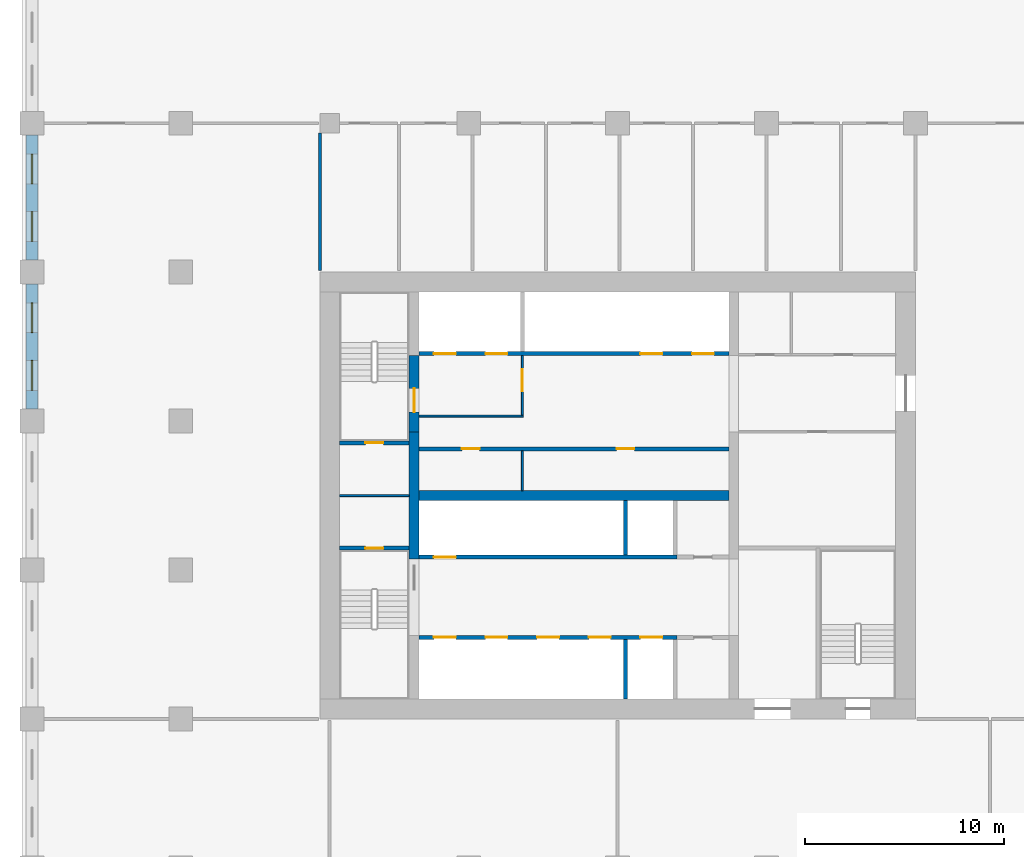
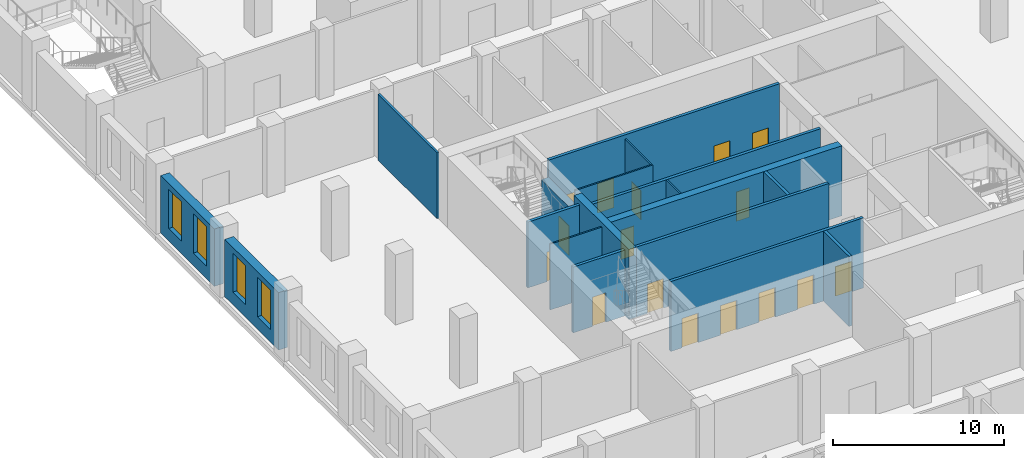
# One storey, part 5 of 32: 18 walls, 16 doors, 4 windows, 20 openings.
"""IFC4 building model written with IfcOpenShell, lengths in metres."""

from ifc_helpers import new_model, si_unit, direction, frame, frame_2d, origin, place, context, subcontext, project, spatial, rectangle, extrude, material, layer, layer_set, type_object, element, fill, save


model = new_model("IFC4")

# Units and contexts
model_context = context("Model", 3, precision=1e-05, world=origin(), true_north=direction((0.0, 1.0)))
body_context = subcontext(model_context, "Body", "Model", "MODEL_VIEW")
ifc_project = project(units=[si_unit("LENGTHUNIT", "METRE"), si_unit("AREAUNIT", "SQUARE_METRE"), si_unit("VOLUMEUNIT", "CUBIC_METRE"), si_unit("PLANEANGLEUNIT", "RADIAN"), si_unit("MASSUNIT", "GRAM", prefix="KILO")], contexts=[model_context])

# Site, building, storey
site_placement = place(None, origin())
site = spatial("IfcSite", under=ifc_project, at=site_placement, CompositionType="ELEMENT")
building_placement = place(site_placement, origin())
building = spatial("IfcBuilding", under=site, at=building_placement, Name="Tamorin Gate", CompositionType="ELEMENT")
storey_placement = place(building_placement, frame((0.0, 0.0, 13.5)))
storey = spatial("IfcBuildingStorey", under=building, at=storey_placement, Name="L02", CompositionType="ELEMENT", Elevation=13.5)

# Wall, openings, doors
ifc_material_1 = material(Name="Concrete C32/40", Category="concrete")
ifc_layer_1 = layer(ifc_material_1, 0.199951171875)
ifc_layer_set_1 = layer_set([ifc_layer_1], Name="Lift lobby face wall 200 EI 120")
wall_type_1 = type_object("IfcWallType", Name="Lift lobby face wall 200 EI 120", PredefinedType="SOLIDWALL", material=ifc_layer_set_1)
wall_1_placement = place(storey_placement, frame((35.0, 64.10009765625, 0.0), z_axis=(0.0, 0.0, 1.0), x_axis=(1.0, 0.0, 0.0)))
wall_1 = element("IfcWall", 1, at=wall_1_placement, inside=storey, type_object=wall_type_1, Name="Lift lobby face wall", PredefinedType="SOLIDWALL", context=body_context, shape_type="SweptSolid", body=[
    extrude(rectangle(XDim=13.0, YDim=0.199951171875, at=frame_2d((6.5, 0.0))), origin(), (0.0, 0.0, 1.0), 5.0),
])
opening_1_placement = place(wall_1_placement, frame((0.75, 0.0, 0.0)))
opening_1 = element("IfcOpeningElement", 2, at=opening_1_placement, cuts=wall_1, Name="Opening LD1", PredefinedType="OPENING", context=body_context, shape_type="SweptSolid", body=[
    extrude(rectangle(XDim=1.10009765625, YDim=2.10009765625, at=frame_2d((0.550048828125, 1.050048828125))), frame((0.0, 0.10986328125, 0.0), z_axis=(0.0, -1.0, 0.0), x_axis=(1.0, 0.0, 0.0)), (0.0, 0.0, 1.0), 0.219970703125),
])
opening_2_placement = place(wall_1_placement, frame((3.35009765625, 0.0, 0.0)))
opening_2 = element("IfcOpeningElement", 3, at=opening_2_placement, cuts=wall_1, Name="Opening LD2", PredefinedType="OPENING", context=body_context, shape_type="SweptSolid", body=[
    extrude(rectangle(XDim=1.10009765625, YDim=2.10009765625, at=frame_2d((0.550048828125, 1.050048828125))), frame((0.0, 0.10986328125, 0.0), z_axis=(0.0, -1.0, 0.0), x_axis=(1.0, 0.0, 0.0)), (0.0, 0.0, 1.0), 0.219970703125),
])
opening_3_placement = place(wall_1_placement, frame((5.949951171875, 0.0, 0.0)))
opening_3 = element("IfcOpeningElement", 4, at=opening_3_placement, cuts=wall_1, Name="Opening LD3", PredefinedType="OPENING", context=body_context, shape_type="SweptSolid", body=[
    extrude(rectangle(XDim=1.10009765625, YDim=2.10009765625, at=frame_2d((0.550048828125, 1.050048828125))), frame((0.0, 0.10986328125, 0.0), z_axis=(0.0, -1.0, 0.0), x_axis=(1.0, 0.0, 0.0)), (0.0, 0.0, 1.0), 0.219970703125),
])
opening_4_placement = place(wall_1_placement, frame((8.550048828125, 0.0, 0.0)))
opening_4 = element("IfcOpeningElement", 5, at=opening_4_placement, cuts=wall_1, Name="Opening LD4", PredefinedType="OPENING", context=body_context, shape_type="SweptSolid", body=[
    extrude(rectangle(XDim=1.10009765625, YDim=2.10009765625, at=frame_2d((0.550048828125, 1.050048828125))), frame((0.0, 0.10986328125, 0.0), z_axis=(0.0, -1.0, 0.0), x_axis=(1.0, 0.0, 0.0)), (0.0, 0.0, 1.0), 0.219970703125),
])
opening_5_placement = place(wall_1_placement, frame((11.14990234375, 0.0, 0.0)))
opening_5 = element("IfcOpeningElement", 6, at=opening_5_placement, cuts=wall_1, Name="Opening LD5", PredefinedType="OPENING", context=body_context, shape_type="SweptSolid", body=[
    extrude(rectangle(XDim=1.10009765625, YDim=2.10009765625, at=frame_2d((0.550048828125, 1.050048828125))), frame((0.0, 0.10986328125, 0.0), z_axis=(0.0, -1.0, 0.0), x_axis=(1.0, 0.0, 0.0)), (0.0, 0.0, 1.0), 0.219970703125),
])
ifc_material_2 = material(Name="Stainless steel sliding door", Category="steel")
door_type_1 = type_object("IfcDoorType", Name="Lift landing door 1100 x 2100 E 90", OperationType="DOUBLE_DOOR_SLIDING", PredefinedType="DOOR", material=ifc_material_2)
door_1_placement = place(opening_1_placement, origin())
door_1 = element("IfcDoor", 7, at=door_1_placement, inside=storey, type_object=door_type_1, Name="LR1 landing door", OperationType="DOUBLE_DOOR_SLIDING", OverallHeight=2.10009765625, OverallWidth=1.10009765625, PredefinedType="DOOR", context=body_context, shape_type="SweptSolid", body=[
    extrude(rectangle(XDim=1.10009765625, YDim=2.10009765625, at=frame_2d((0.550048828125, 1.050048828125))), frame((0.0, 0.02490234375, 0.0), z_axis=(0.0, -1.0, 0.0), x_axis=(1.0, 0.0, 0.0)), (0.0, 0.0, 1.0), 0.050048828125),
])
fill(opening_1, door_1)
door_2_placement = place(opening_2_placement, origin())
door_2 = element("IfcDoor", 8, at=door_2_placement, inside=storey, type_object=door_type_1, Name="LR2 landing door", OperationType="DOUBLE_DOOR_SLIDING", OverallHeight=2.10009765625, OverallWidth=1.10009765625, PredefinedType="DOOR", context=body_context, shape_type="SweptSolid", body=[
    extrude(rectangle(XDim=1.10009765625, YDim=2.10009765625, at=frame_2d((0.550048828125, 1.050048828125))), frame((0.0, 0.02490234375, 0.0), z_axis=(0.0, -1.0, 0.0), x_axis=(1.0, 0.0, 0.0)), (0.0, 0.0, 1.0), 0.050048828125),
])
fill(opening_2, door_2)
door_3_placement = place(opening_3_placement, origin())
door_3 = element("IfcDoor", 9, at=door_3_placement, inside=storey, type_object=door_type_1, Name="LR3 landing door", OperationType="DOUBLE_DOOR_SLIDING", OverallHeight=2.10009765625, OverallWidth=1.10009765625, PredefinedType="DOOR", context=body_context, shape_type="SweptSolid", body=[
    extrude(rectangle(XDim=1.10009765625, YDim=2.10009765625, at=frame_2d((0.550048828125, 1.050048828125))), frame((0.0, 0.02490234375, 0.0), z_axis=(0.0, -1.0, 0.0), x_axis=(1.0, 0.0, 0.0)), (0.0, 0.0, 1.0), 0.050048828125),
])
fill(opening_3, door_3)
door_4_placement = place(opening_4_placement, origin())
door_4 = element("IfcDoor", 10, at=door_4_placement, inside=storey, type_object=door_type_1, Name="LR4 landing door", OperationType="DOUBLE_DOOR_SLIDING", OverallHeight=2.10009765625, OverallWidth=1.10009765625, PredefinedType="DOOR", context=body_context, shape_type="SweptSolid", body=[
    extrude(rectangle(XDim=1.10009765625, YDim=2.10009765625, at=frame_2d((0.550048828125, 1.050048828125))), frame((0.0, 0.02490234375, 0.0), z_axis=(0.0, -1.0, 0.0), x_axis=(1.0, 0.0, 0.0)), (0.0, 0.0, 1.0), 0.050048828125),
])
fill(opening_4, door_4)
door_5_placement = place(opening_5_placement, origin())
door_5 = element("IfcDoor", 11, at=door_5_placement, inside=storey, type_object=door_type_1, Name="LR5 landing door", OperationType="DOUBLE_DOOR_SLIDING", OverallHeight=2.10009765625, OverallWidth=1.10009765625, PredefinedType="DOOR", context=body_context, shape_type="SweptSolid", body=[
    extrude(rectangle(XDim=1.10009765625, YDim=2.10009765625, at=frame_2d((0.550048828125, 1.050048828125))), frame((0.0, 0.02490234375, 0.0), z_axis=(0.0, -1.0, 0.0), x_axis=(1.0, 0.0, 0.0)), (0.0, 0.0, 1.0), 0.050048828125),
])
fill(opening_5, door_5)

# Wall, opening, door
wall_2_placement = place(storey_placement, frame((35.0, 68.14990234375, 0.0), z_axis=(0.0, 0.0, 1.0), x_axis=(1.0, 0.0, 0.0)))
wall_2 = element("IfcWall", 12, at=wall_2_placement, inside=storey, type_object=wall_type_1, Name="Lift lobby face wall", PredefinedType="SOLIDWALL", context=body_context, shape_type="SweptSolid", body=[
    extrude(rectangle(XDim=13.0, YDim=0.199951171875, at=frame_2d((6.5, 0.0))), origin(), (0.0, 0.0, 1.0), 5.0),
])
opening_6_placement = place(wall_2_placement, frame((0.75, 0.0, 0.0)))
opening_6 = element("IfcOpeningElement", 13, at=opening_6_placement, cuts=wall_2, Name="Opening LD6", PredefinedType="OPENING", context=body_context, shape_type="SweptSolid", body=[
    extrude(rectangle(XDim=1.10009765625, YDim=2.10009765625, at=frame_2d((0.550048828125, 1.050048828125))), frame((0.0, 0.10986328125, 0.0), z_axis=(0.0, -1.0, 0.0), x_axis=(1.0, 0.0, 0.0)), (0.0, 0.0, 1.0), 0.219970703125),
])
door_6_placement = place(opening_6_placement, origin())
door_6 = element("IfcDoor", 14, at=door_6_placement, inside=storey, type_object=door_type_1, Name="LR6 landing door", OperationType="DOUBLE_DOOR_SLIDING", OverallHeight=2.10009765625, OverallWidth=1.10009765625, PredefinedType="DOOR", context=body_context, shape_type="SweptSolid", body=[
    extrude(rectangle(XDim=1.10009765625, YDim=2.10009765625, at=frame_2d((0.550048828125, 1.050048828125))), frame((0.0, 0.02490234375, 0.0), z_axis=(0.0, -1.0, 0.0), x_axis=(1.0, 0.0, 0.0)), (0.0, 0.0, 1.0), 0.050048828125),
])
fill(opening_6, door_6)

# Wall, openings, doors
wall_3_placement = place(storey_placement, frame((35.0, 78.39990234375, 0.0), z_axis=(0.0, 0.0, 1.0), x_axis=(1.0, 0.0, 0.0)))
wall_3 = element("IfcWall", 15, at=wall_3_placement, inside=storey, type_object=wall_type_1, Name="Lift lobby face wall", PredefinedType="SOLIDWALL", context=body_context, shape_type="SweptSolid", body=[
    extrude(rectangle(XDim=15.60009765625, YDim=0.199951171875, at=frame_2d((7.800048828125, 0.0))), origin(), (0.0, 0.0, 1.0), 5.0),
])
opening_7_placement = place(wall_3_placement, frame((0.75, 0.0, 0.0)))
opening_7 = element("IfcOpeningElement", 16, at=opening_7_placement, cuts=wall_3, Name="Opening LD17", PredefinedType="OPENING", context=body_context, shape_type="SweptSolid", body=[
    extrude(rectangle(XDim=1.10009765625, YDim=2.10009765625, at=frame_2d((0.550048828125, 1.050048828125))), frame((0.0, 0.10986328125, 0.0), z_axis=(0.0, -1.0, 0.0), x_axis=(1.0, 0.0, 0.0)), (0.0, 0.0, 1.0), 0.219970703125),
])
opening_8_placement = place(wall_3_placement, frame((3.35009765625, 0.0, 0.0)))
opening_8 = element("IfcOpeningElement", 17, at=opening_8_placement, cuts=wall_3, Name="Opening LD18", PredefinedType="OPENING", context=body_context, shape_type="SweptSolid", body=[
    extrude(rectangle(XDim=1.10009765625, YDim=2.10009765625, at=frame_2d((0.550048828125, 1.050048828125))), frame((0.0, 0.10986328125, 0.0), z_axis=(0.0, -1.0, 0.0), x_axis=(1.0, 0.0, 0.0)), (0.0, 0.0, 1.0), 0.219970703125),
])
opening_9_placement = place(wall_3_placement, frame((11.14990234375, 0.0, 0.0)))
opening_9 = element("IfcOpeningElement", 18, at=opening_9_placement, cuts=wall_3, Name="Opening LD21", PredefinedType="OPENING", context=body_context, shape_type="SweptSolid", body=[
    extrude(rectangle(XDim=1.10009765625, YDim=2.10009765625, at=frame_2d((0.550048828125, 1.050048828125))), frame((0.0, 0.10986328125, 0.0), z_axis=(0.0, -1.0, 0.0), x_axis=(1.0, 0.0, 0.0)), (0.0, 0.0, 1.0), 0.219970703125),
])
opening_10_placement = place(wall_3_placement, frame((13.75, 0.0, 0.0)))
opening_10 = element("IfcOpeningElement", 19, at=opening_10_placement, cuts=wall_3, Name="Opening LD22", PredefinedType="OPENING", context=body_context, shape_type="SweptSolid", body=[
    extrude(rectangle(XDim=1.10009765625, YDim=2.10009765625, at=frame_2d((0.550048828125, 1.050048828125))), frame((0.0, 0.10986328125, 0.0), z_axis=(0.0, -1.0, 0.0), x_axis=(1.0, 0.0, 0.0)), (0.0, 0.0, 1.0), 0.219970703125),
])
door_7_placement = place(opening_7_placement, origin())
door_7 = element("IfcDoor", 20, at=door_7_placement, inside=storey, type_object=door_type_1, Name="FF1 landing door", OperationType="DOUBLE_DOOR_SLIDING", OverallHeight=2.10009765625, OverallWidth=1.10009765625, PredefinedType="DOOR", context=body_context, shape_type="SweptSolid", body=[
    extrude(rectangle(XDim=1.10009765625, YDim=2.10009765625, at=frame_2d((0.550048828125, 1.050048828125))), frame((0.0, 0.02490234375, 0.0), z_axis=(0.0, -1.0, 0.0), x_axis=(1.0, 0.0, 0.0)), (0.0, 0.0, 1.0), 0.050048828125),
])
fill(opening_7, door_7)
door_8_placement = place(opening_8_placement, origin())
door_8 = element("IfcDoor", 21, at=door_8_placement, inside=storey, type_object=door_type_1, Name="FF2 landing door", OperationType="DOUBLE_DOOR_SLIDING", OverallHeight=2.10009765625, OverallWidth=1.10009765625, PredefinedType="DOOR", context=body_context, shape_type="SweptSolid", body=[
    extrude(rectangle(XDim=1.10009765625, YDim=2.10009765625, at=frame_2d((0.550048828125, 1.050048828125))), frame((0.0, 0.02490234375, 0.0), z_axis=(0.0, -1.0, 0.0), x_axis=(1.0, 0.0, 0.0)), (0.0, 0.0, 1.0), 0.050048828125),
])
fill(opening_8, door_8)
door_9_placement = place(opening_9_placement, origin())
door_9 = element("IfcDoor", 22, at=door_9_placement, inside=storey, type_object=door_type_1, Name="SV1 landing door", OperationType="DOUBLE_DOOR_SLIDING", OverallHeight=2.10009765625, OverallWidth=1.10009765625, PredefinedType="DOOR", context=body_context, shape_type="SweptSolid", body=[
    extrude(rectangle(XDim=1.10009765625, YDim=2.10009765625, at=frame_2d((0.550048828125, 1.050048828125))), frame((0.0, 0.02490234375, 0.0), z_axis=(0.0, -1.0, 0.0), x_axis=(1.0, 0.0, 0.0)), (0.0, 0.0, 1.0), 0.050048828125),
])
fill(opening_9, door_9)
door_10_placement = place(opening_10_placement, origin())
door_10 = element("IfcDoor", 23, at=door_10_placement, inside=storey, type_object=door_type_1, Name="SV2 landing door", OperationType="DOUBLE_DOOR_SLIDING", OverallHeight=2.10009765625, OverallWidth=1.10009765625, PredefinedType="DOOR", context=body_context, shape_type="SweptSolid", body=[
    extrude(rectangle(XDim=1.10009765625, YDim=2.10009765625, at=frame_2d((0.550048828125, 1.050048828125))), frame((0.0, 0.02490234375, 0.0), z_axis=(0.0, -1.0, 0.0), x_axis=(1.0, 0.0, 0.0)), (0.0, 0.0, 1.0), 0.050048828125),
])
fill(opening_10, door_10)

# Walls
ifc_layer_2 = layer(ifc_material_1, 0.199951171875)
ifc_layer_set_2 = layer_set([ifc_layer_2], Name="Lift shaft wall 200 EI 120")
wall_type_2 = type_object("IfcWallType", Name="Lift shaft wall 200 EI 120", PredefinedType="SOLIDWALL", material=ifc_layer_set_2)
wall_4_placement = place(storey_placement, frame((45.39990234375, 61.0, 0.0), z_axis=(0.0, 0.0, 1.0), x_axis=(0.0, 1.0, 0.0)))
element("IfcWall", 24, at=wall_4_placement, inside=storey, type_object=wall_type_2, Name="Lift shaft wall", PredefinedType="SOLIDWALL", context=body_context, shape_type="SweptSolid", body=[
    extrude(rectangle(XDim=3.0, YDim=0.199951171875, at=frame_2d((1.5, 0.0))), origin(), (0.0, 0.0, 1.0), 5.0),
])
wall_5_placement = place(storey_placement, frame((45.39990234375, 68.25, 0.0), z_axis=(0.0, 0.0, 1.0), x_axis=(0.0, 1.0, 0.0)))
element("IfcWall", 25, at=wall_5_placement, inside=storey, type_object=wall_type_2, Name="Lift shaft wall", PredefinedType="SOLIDWALL", context=body_context, shape_type="SweptSolid", body=[
    extrude(rectangle(XDim=2.75, YDim=0.199951171875, at=frame_2d((1.375, 0.0))), origin(), (0.0, 0.0, 1.0), 5.0),
])
ifc_material_3 = material(Name="Fire-rated gypsum board partition")
ifc_layer_3 = layer(ifc_material_3, 0.10009765625)
ifc_layer_set_3 = layer_set([ifc_layer_3], Name="Lobby wall 100 EI 60")
wall_type_3 = type_object("IfcWallType", Name="Lobby wall 100 EI 60", PredefinedType="PARTITIONING", material=ifc_layer_set_3)
wall_6_placement = place(storey_placement, frame((35.0, 75.25, 0.0), z_axis=(0.0, 0.0, 1.0), x_axis=(1.0, 0.0, 0.0)))
element("IfcWall", 26, at=wall_6_placement, inside=storey, type_object=wall_type_3, Name="Firefighting lobby wall", PredefinedType="PARTITIONING", context=body_context, shape_type="SweptSolid", body=[
    extrude(rectangle(XDim=5.25, YDim=0.10009765625, at=frame_2d((2.625, 0.0))), origin(), (0.0, 0.0, 1.0), 4.699951171875),
])

# Wall, opening, door
wall_7_placement = place(storey_placement, frame((40.199951171875, 75.300048828125, 0.0), z_axis=(0.0, 0.0, 1.0), x_axis=(0.0, 1.0, 0.0)))
wall_7 = element("IfcWall", 27, at=wall_7_placement, inside=storey, type_object=wall_type_3, Name="Firefighting lobby wall", PredefinedType="PARTITIONING", context=body_context, shape_type="SweptSolid", body=[
    extrude(rectangle(XDim=3.0, YDim=0.10009765625, at=frame_2d((1.5, 0.0))), origin(), (0.0, 0.0, 1.0), 4.699951171875),
])
opening_11_placement = place(wall_7_placement, frame((1.199951171875, 0.0, 0.0)))
opening_11 = element("IfcOpeningElement", 28, at=opening_11_placement, cuts=wall_7, Name="Opening DF1", PredefinedType="OPENING", context=body_context, shape_type="SweptSolid", body=[
    extrude(rectangle(XDim=1.10009765625, YDim=2.10009765625, at=frame_2d((0.550048828125, 1.050048828125))), frame((0.0, 0.06005859375, 0.0), z_axis=(0.0, -1.0, 0.0), x_axis=(1.0, 0.0, 0.0)), (0.0, 0.0, 1.0), 0.1201171875),
])
ifc_material_4 = material(Name="Steel fire door", Category="steel")
door_type_2 = type_object("IfcDoorType", Name="Firefighting lobby door 1100 x 2100 EI 90", OperationType="SINGLE_SWING_LEFT", PredefinedType="DOOR", material=ifc_material_4)
door_11_placement = place(opening_11_placement, origin())
door_11 = element("IfcDoor", 29, at=door_11_placement, inside=storey, type_object=door_type_2, Name="Firefighting lobby door", OperationType="SINGLE_SWING_LEFT", OverallHeight=2.10009765625, OverallWidth=1.10009765625, PredefinedType="DOOR", context=body_context, shape_type="SweptSolid", body=[
    extrude(rectangle(XDim=1.10009765625, YDim=2.10009765625, at=frame_2d((0.550048828125, 1.050048828125))), frame((0.0, 0.02490234375, 0.0), z_axis=(0.0, -1.0, 0.0), x_axis=(1.0, 0.0, 0.0)), (0.0, 0.0, 1.0), 0.050048828125),
])
fill(opening_11, door_11)

# Wall
ifc_material_5 = material(Name="Concrete masonry C20/25", Category="masonry")
ifc_layer_4 = layer(ifc_material_5, 0.14990234375)
ifc_layer_set_4 = layer_set([ifc_layer_4], Name="Partition 150")
wall_type_4 = type_object("IfcWallType", Name="Partition 150", PredefinedType="PARTITIONING", material=ifc_layer_set_4)
wall_8_placement = place(storey_placement, frame((30.0, 82.574951171875, 0.0), z_axis=(0.0, 0.0, 1.0), x_axis=(0.0, 1.0, 0.0)))
element("IfcWall", 30, at=wall_8_placement, inside=storey, type_object=wall_type_4, Name="Partition 150 L02", PredefinedType="PARTITIONING", context=body_context, shape_type="SweptSolid", body=[
    extrude(rectangle(XDim=6.925048828125, YDim=0.14990234375, at=frame_2d((3.46240234375, 0.0))), origin(), (0.0, 0.0, 1.0), 4.699951171875),
])

# Wall, openings, windows
ifc_material_6 = material(Name="Precast concrete C40/50", Category="concrete")
ifc_layer_5 = layer(ifc_material_6, 0.60009765625)
ifc_layer_set_5 = layer_set([ifc_layer_5], Name="Precast concrete C40/50")
wall_type_5 = type_object("IfcWallType", Name="Precast plinth wall 600", PredefinedType="PARTITIONING", material=ifc_layer_set_5)
wall_9_placement = place(storey_placement, frame((15.5, 75.60009765625, 0.0), z_axis=(0.0, 0.0, 1.0), x_axis=(0.0, 1.0, 0.0)))
wall_9 = element("IfcWall", 31, at=wall_9_placement, inside=storey, type_object=wall_type_5, Name="Precast plinth wall 600 L02", PredefinedType="PARTITIONING", context=body_context, shape_type="SweptSolid", body=[
    extrude(rectangle(XDim=6.2998046875, YDim=0.60009765625, at=frame_2d((3.14990234375, 0.0))), origin(), (0.0, 0.0, 1.0), 4.10009765625),
])
opening_12_placement = place(wall_9_placement, frame((0.950927734375, 0.0, 0.89990234375)))
opening_12 = element("IfcOpeningElement", 32, at=opening_12_placement, cuts=wall_9, Name="Opening PWN5", PredefinedType="OPENING", context=body_context, shape_type="SweptSolid", body=[
    extrude(rectangle(XDim=1.5, YDim=2.800048828125, at=frame_2d((0.75, 1.39990234375))), frame((0.0, 0.31005859375, 0.0), z_axis=(0.0, -1.0, 0.0), x_axis=(1.0, 0.0, 0.0)), (0.0, 0.0, 1.0), 0.6201171875),
])
opening_13_placement = place(wall_9_placement, frame((3.84912109375, 0.0, 0.89990234375)))
opening_13 = element("IfcOpeningElement", 33, at=opening_13_placement, cuts=wall_9, Name="Opening PWN5", PredefinedType="OPENING", context=body_context, shape_type="SweptSolid", body=[
    extrude(rectangle(XDim=1.5, YDim=2.800048828125, at=frame_2d((0.75, 1.39990234375))), frame((0.0, 0.31005859375, 0.0), z_axis=(0.0, -1.0, 0.0), x_axis=(1.0, 0.0, 0.0)), (0.0, 0.0, 1.0), 0.6201171875),
])
ifc_material_7 = material(Name="Aluminium and glass", Category="aluminium")
window_type = type_object("IfcWindowType", Name="Plinth window 1500x2800", PartitioningType="DOUBLE_PANEL_VERTICAL", PredefinedType="WINDOW", material=ifc_material_7)
window_1_placement = place(opening_12_placement, origin())
window_1 = element("IfcWindow", 34, at=window_1_placement, inside=storey, type_object=window_type, Name="Plinth window 1500x2800", OverallHeight=2.800048828125, OverallWidth=1.5, PartitioningType="SINGLE_PANEL", PredefinedType="WINDOW", context=body_context, shape_type="SweptSolid", body=[
    extrude(rectangle(XDim=1.5, YDim=2.800048828125, at=frame_2d((0.75, 1.39990234375))), frame((0.0, 0.030029296875, 0.0), z_axis=(0.0, -1.0, 0.0), x_axis=(1.0, 0.0, 0.0)), (0.0, 0.0, 1.0), 0.06005859375),
])
fill(opening_12, window_1)
window_2_placement = place(opening_13_placement, origin())
window_2 = element("IfcWindow", 35, at=window_2_placement, inside=storey, type_object=window_type, Name="Plinth window 1500x2800", OverallHeight=2.800048828125, OverallWidth=1.5, PartitioningType="SINGLE_PANEL", PredefinedType="WINDOW", context=body_context, shape_type="SweptSolid", body=[
    extrude(rectangle(XDim=1.5, YDim=2.800048828125, at=frame_2d((0.75, 1.39990234375))), frame((0.0, 0.030029296875, 0.0), z_axis=(0.0, -1.0, 0.0), x_axis=(1.0, 0.0, 0.0)), (0.0, 0.0, 1.0), 0.06005859375),
])
fill(opening_13, window_2)

wall_10_placement = place(storey_placement, frame((15.5, 83.10009765625, 0.0), z_axis=(0.0, 0.0, 1.0), x_axis=(0.0, 1.0, 0.0)))
wall_10 = element("IfcWall", 36, at=wall_10_placement, inside=storey, type_object=wall_type_5, Name="Precast plinth wall 600 L02", PredefinedType="PARTITIONING", context=body_context, shape_type="SweptSolid", body=[
    extrude(rectangle(XDim=6.2998046875, YDim=0.60009765625, at=frame_2d((3.14990234375, 0.0))), origin(), (0.0, 0.0, 1.0), 4.10009765625),
])
opening_14_placement = place(wall_10_placement, frame((0.950927734375, 0.0, 0.89990234375)))
opening_14 = element("IfcOpeningElement", 37, at=opening_14_placement, cuts=wall_10, Name="Opening PWN5", PredefinedType="OPENING", context=body_context, shape_type="SweptSolid", body=[
    extrude(rectangle(XDim=1.5, YDim=2.800048828125, at=frame_2d((0.75, 1.39990234375))), frame((0.0, 0.31005859375, 0.0), z_axis=(0.0, -1.0, 0.0), x_axis=(1.0, 0.0, 0.0)), (0.0, 0.0, 1.0), 0.6201171875),
])
opening_15_placement = place(wall_10_placement, frame((3.84912109375, 0.0, 0.89990234375)))
opening_15 = element("IfcOpeningElement", 38, at=opening_15_placement, cuts=wall_10, Name="Opening PWN5", PredefinedType="OPENING", context=body_context, shape_type="SweptSolid", body=[
    extrude(rectangle(XDim=1.5, YDim=2.800048828125, at=frame_2d((0.75, 1.39990234375))), frame((0.0, 0.31005859375, 0.0), z_axis=(0.0, -1.0, 0.0), x_axis=(1.0, 0.0, 0.0)), (0.0, 0.0, 1.0), 0.6201171875),
])
window_3_placement = place(opening_14_placement, origin())
window_3 = element("IfcWindow", 39, at=window_3_placement, inside=storey, type_object=window_type, Name="Plinth window 1500x2800", OverallHeight=2.800048828125, OverallWidth=1.5, PartitioningType="SINGLE_PANEL", PredefinedType="WINDOW", context=body_context, shape_type="SweptSolid", body=[
    extrude(rectangle(XDim=1.5, YDim=2.800048828125, at=frame_2d((0.75, 1.39990234375))), frame((0.0, 0.030029296875, 0.0), z_axis=(0.0, -1.0, 0.0), x_axis=(1.0, 0.0, 0.0)), (0.0, 0.0, 1.0), 0.06005859375),
])
fill(opening_14, window_3)
window_4_placement = place(opening_15_placement, origin())
window_4 = element("IfcWindow", 40, at=window_4_placement, inside=storey, type_object=window_type, Name="Plinth window 1500x2800", OverallHeight=2.800048828125, OverallWidth=1.5, PartitioningType="SINGLE_PANEL", PredefinedType="WINDOW", context=body_context, shape_type="SweptSolid", body=[
    extrude(rectangle(XDim=1.5, YDim=2.800048828125, at=frame_2d((0.75, 1.39990234375))), frame((0.0, 0.030029296875, 0.0), z_axis=(0.0, -1.0, 0.0), x_axis=(1.0, 0.0, 0.0)), (0.0, 0.0, 1.0), 0.06005859375),
])
fill(opening_15, window_4)

# Walls
ifc_material_8 = material(Name="Concrete C80/95", Category="concrete")
ifc_layer_6 = layer(ifc_material_8, 0.5)
ifc_layer_set_6 = layer_set([ifc_layer_6], Name="RC core internal wall 500 C80/95")
wall_type_6 = type_object("IfcWallType", Name="RC core internal wall 500 C80/95", PredefinedType="SHEAR", material=ifc_layer_set_6)
wall_11_placement = place(storey_placement, frame((35.0, 71.25, 0.0), z_axis=(0.0, 0.0, 1.0), x_axis=(1.0, 0.0, 0.0)))
element("IfcWall", 41, at=wall_11_placement, inside=storey, type_object=wall_type_6, Name="Core spine wall L02", PredefinedType="SHEAR", context=body_context, shape_type="SweptSolid", body=[
    extrude(rectangle(XDim=15.60009765625, YDim=0.5, at=frame_2d((7.800048828125, 0.0))), origin(), (0.0, 0.0, 1.0), 5.0),
])
wall_12_placement = place(storey_placement, frame((34.75, 68.050048828125, 0.0), z_axis=(0.0, 0.0, 1.0), x_axis=(0.0, 1.0, 0.0)))
element("IfcWall", 42, at=wall_12_placement, inside=storey, type_object=wall_type_6, Name="Core cross wall L02", PredefinedType="SHEAR", context=body_context, shape_type="SweptSolid", body=[
    extrude(rectangle(XDim=6.39990234375, YDim=0.5, at=frame_2d((3.199951171875, 0.0))), origin(), (0.0, 0.0, 1.0), 5.0),
])
ifc_layer_7 = layer(ifc_material_3, 0.10009765625)
ifc_layer_set_7 = layer_set([ifc_layer_7], Name="Riser partition 100 EI 120")
wall_type_7 = type_object("IfcWallType", Name="Riser partition 100 EI 120", PredefinedType="PARTITIONING", material=ifc_layer_set_7)
wall_13_placement = place(storey_placement, frame((31.0, 71.25, 0.0), z_axis=(0.0, 0.0, 1.0), x_axis=(1.0, 0.0, 0.0)))
element("IfcWall", 43, at=wall_13_placement, inside=storey, type_object=wall_type_7, Name="Riser partition", PredefinedType="PARTITIONING", context=body_context, shape_type="SweptSolid", body=[
    extrude(rectangle(XDim=3.5, YDim=0.10009765625, at=frame_2d((1.75, 0.0))), origin(), (0.0, 0.0, 1.0), 4.699951171875),
])

# Wall, openings, doors
ifc_material_9 = material(Name="Gypsum board partition")
ifc_layer_8 = layer(ifc_material_9, 0.199951171875)
ifc_layer_set_8 = layer_set([ifc_layer_8], Name="Service room face wall 200 EI 60")
wall_type_8 = type_object("IfcWallType", Name="Service room face wall 200 EI 60", PredefinedType="PARTITIONING", material=ifc_layer_set_8)
wall_14_placement = place(storey_placement, frame((35.0, 73.60009765625, 0.0), z_axis=(0.0, 0.0, 1.0), x_axis=(1.0, 0.0, 0.0)))
wall_14 = element("IfcWall", 44, at=wall_14_placement, inside=storey, type_object=wall_type_8, Name="Service room face wall", PredefinedType="PARTITIONING", context=body_context, shape_type="SweptSolid", body=[
    extrude(rectangle(XDim=15.60009765625, YDim=0.199951171875, at=frame_2d((7.800048828125, 0.0))), origin(), (0.0, 0.0, 1.0), 4.699951171875),
])
opening_16_placement = place(wall_14_placement, frame((2.14990234375, 0.0, 0.0)))
opening_16 = element("IfcOpeningElement", 45, at=opening_16_placement, cuts=wall_14, Name="Opening DK1", PredefinedType="OPENING", context=body_context, shape_type="SweptSolid", body=[
    extrude(rectangle(XDim=0.89990234375, YDim=2.10009765625, at=frame_2d((0.449951171875, 1.050048828125))), frame((0.0, 0.10986328125, 0.0), z_axis=(0.0, -1.0, 0.0), x_axis=(1.0, 0.0, 0.0)), (0.0, 0.0, 1.0), 0.219970703125),
])
opening_17_placement = place(wall_14_placement, frame((9.949951171875, 0.0, 0.0)))
opening_17 = element("IfcOpeningElement", 46, at=opening_17_placement, cuts=wall_14, Name="Opening DK1", PredefinedType="OPENING", context=body_context, shape_type="SweptSolid", body=[
    extrude(rectangle(XDim=0.89990234375, YDim=2.10009765625, at=frame_2d((0.449951171875, 1.050048828125))), frame((0.0, 0.10986328125, 0.0), z_axis=(0.0, -1.0, 0.0), x_axis=(1.0, 0.0, 0.0)), (0.0, 0.0, 1.0), 0.219970703125),
])
ifc_material_10 = material(Name="Timber fire door", Category="wood")
door_type_3 = type_object("IfcDoorType", Name="Service room door 900 x 2100 EI 60", OperationType="SINGLE_SWING_LEFT", PredefinedType="DOOR", material=ifc_material_10)
door_12_placement = place(opening_16_placement, origin())
door_12 = element("IfcDoor", 47, at=door_12_placement, inside=storey, type_object=door_type_3, Name="Door Waste store", OperationType="SINGLE_SWING_RIGHT", OverallHeight=2.10009765625, OverallWidth=0.89990234375, PredefinedType="DOOR", context=body_context, shape_type="SweptSolid", body=[
    extrude(rectangle(XDim=0.89990234375, YDim=2.10009765625, at=frame_2d((0.449951171875, 1.050048828125))), frame((0.0, 0.02490234375, 0.0), z_axis=(0.0, -1.0, 0.0), x_axis=(1.0, 0.0, 0.0)), (0.0, 0.0, 1.0), 0.050048828125),
])
fill(opening_16, door_12)
door_13_placement = place(opening_17_placement, origin())
door_13 = element("IfcDoor", 48, at=door_13_placement, inside=storey, type_object=door_type_3, Name="Door Cable riser store", OperationType="SINGLE_SWING_LEFT", OverallHeight=2.10009765625, OverallWidth=0.89990234375, PredefinedType="DOOR", context=body_context, shape_type="SweptSolid", body=[
    extrude(rectangle(XDim=0.89990234375, YDim=2.10009765625, at=frame_2d((0.449951171875, 1.050048828125))), frame((0.0, 0.02490234375, 0.0), z_axis=(0.0, -1.0, 0.0), x_axis=(1.0, 0.0, 0.0)), (0.0, 0.0, 1.0), 0.050048828125),
])
fill(opening_17, door_13)

# Wall
ifc_layer_9 = layer(ifc_material_9, 0.10009765625)
ifc_layer_set_9 = layer_set([ifc_layer_9], Name="Service room partition 100 EI 60")
wall_type_9 = type_object("IfcWallType", Name="Service room partition 100 EI 60", PredefinedType="PARTITIONING", material=ifc_layer_set_9)
wall_15_placement = place(storey_placement, frame((40.199951171875, 71.5, 0.0), z_axis=(0.0, 0.0, 1.0), x_axis=(0.0, 1.0, 0.0)))
element("IfcWall", 49, at=wall_15_placement, inside=storey, type_object=wall_type_9, Name="Service room partition", PredefinedType="PARTITIONING", context=body_context, shape_type="SweptSolid", body=[
    extrude(rectangle(XDim=2.0, YDim=0.10009765625, at=frame_2d((1.0, 0.0))), origin(), (0.0, 0.0, 1.0), 4.699951171875),
])

# Wall, opening, door
ifc_material_11 = material(Name="Concrete C40/50", Category="concrete")
ifc_layer_10 = layer(ifc_material_11, 0.199951171875)
ifc_layer_set_10 = layer_set([ifc_layer_10], Name="Stair enclosure wall 200 EI 120 C40/50")
wall_type_10 = type_object("IfcWallType", Name="Stair enclosure wall 200 EI 120 C40/50", PredefinedType="SOLIDWALL", material=ifc_layer_set_10)
wall_16_placement = place(storey_placement, frame((31.0, 68.60009765625, 0.0), z_axis=(0.0, 0.0, 1.0), x_axis=(1.0, 0.0, 0.0)))
wall_16 = element("IfcWall", 50, at=wall_16_placement, inside=storey, type_object=wall_type_10, Name="Stair enclosure wall", PredefinedType="SOLIDWALL", context=body_context, shape_type="SweptSolid", body=[
    extrude(rectangle(XDim=3.5, YDim=0.199951171875, at=frame_2d((1.75, 0.0))), origin(), (0.0, 0.0, 1.0), 4.699951171875),
])
opening_18_placement = place(wall_16_placement, frame((1.300048828125, 0.0, 0.0)))
opening_18 = element("IfcOpeningElement", 51, at=opening_18_placement, cuts=wall_16, Name="Opening DR1", PredefinedType="OPENING", context=body_context, shape_type="SweptSolid", body=[
    extrude(rectangle(XDim=0.89990234375, YDim=2.10009765625, at=frame_2d((0.449951171875, 1.050048828125))), frame((0.0, 0.10986328125, 0.0), z_axis=(0.0, -1.0, 0.0), x_axis=(1.0, 0.0, 0.0)), (0.0, 0.0, 1.0), 0.219970703125),
])
door_type_4 = type_object("IfcDoorType", Name="Riser access door 900 x 2100 EI 120", OperationType="SINGLE_SWING_LEFT", PredefinedType="DOOR", material=ifc_material_4)
door_14_placement = place(opening_18_placement, origin())
door_14 = element("IfcDoor", 52, at=door_14_placement, inside=storey, type_object=door_type_4, Name="Electrical riser door", OperationType="SINGLE_SWING_LEFT", OverallHeight=2.10009765625, OverallWidth=0.89990234375, PredefinedType="DOOR", context=body_context, shape_type="SweptSolid", body=[
    extrude(rectangle(XDim=0.89990234375, YDim=2.10009765625, at=frame_2d((0.449951171875, 1.050048828125))), frame((0.0, 0.02490234375, 0.0), z_axis=(0.0, -1.0, 0.0), x_axis=(1.0, 0.0, 0.0)), (0.0, 0.0, 1.0), 0.050048828125),
])
fill(opening_18, door_14)

wall_17_placement = place(storey_placement, frame((31.0, 73.89990234375, 0.0), z_axis=(0.0, 0.0, 1.0), x_axis=(1.0, 0.0, 0.0)))
wall_17 = element("IfcWall", 53, at=wall_17_placement, inside=storey, type_object=wall_type_10, Name="Stair enclosure wall", PredefinedType="SOLIDWALL", context=body_context, shape_type="SweptSolid", body=[
    extrude(rectangle(XDim=3.5, YDim=0.199951171875, at=frame_2d((1.75, 0.0))), origin(), (0.0, 0.0, 1.0), 4.699951171875),
])
opening_19_placement = place(wall_17_placement, frame((1.300048828125, 0.0, 0.0)))
opening_19 = element("IfcOpeningElement", 54, at=opening_19_placement, cuts=wall_17, Name="Opening DR1", PredefinedType="OPENING", context=body_context, shape_type="SweptSolid", body=[
    extrude(rectangle(XDim=0.89990234375, YDim=2.10009765625, at=frame_2d((0.449951171875, 1.050048828125))), frame((0.0, 0.10986328125, 0.0), z_axis=(0.0, -1.0, 0.0), x_axis=(1.0, 0.0, 0.0)), (0.0, 0.0, 1.0), 0.219970703125),
])
door_15_placement = place(opening_19_placement, origin())
door_15 = element("IfcDoor", 55, at=door_15_placement, inside=storey, type_object=door_type_4, Name="Communications riser door", OperationType="SINGLE_SWING_RIGHT", OverallHeight=2.10009765625, OverallWidth=0.89990234375, PredefinedType="DOOR", context=body_context, shape_type="SweptSolid", body=[
    extrude(rectangle(XDim=0.89990234375, YDim=2.10009765625, at=frame_2d((0.449951171875, 1.050048828125))), frame((0.0, 0.02490234375, 0.0), z_axis=(0.0, -1.0, 0.0), x_axis=(1.0, 0.0, 0.0)), (0.0, 0.0, 1.0), 0.050048828125),
])
fill(opening_19, door_15)

ifc_layer_11 = layer(ifc_material_1, 0.5)
ifc_layer_set_11 = layer_set([ifc_layer_11], Name="Stair lobby infill wall 500 EI 120")
wall_type_11 = type_object("IfcWallType", Name="Stair lobby infill wall 500 EI 120", PredefinedType="SOLIDWALL", material=ifc_layer_set_11)
wall_18_placement = place(storey_placement, frame((34.75, 74.449951171875, 0.0), z_axis=(0.0, 0.0, 1.0), x_axis=(0.0, 1.0, 0.0)))
wall_18 = element("IfcWall", 56, at=wall_18_placement, inside=storey, type_object=wall_type_11, Name="Stair lobby infill wall", PredefinedType="SOLIDWALL", context=body_context, shape_type="SweptSolid", body=[
    extrude(rectangle(XDim=3.85009765625, YDim=0.5, at=frame_2d((1.925048828125, 0.0))), origin(), (0.0, 0.0, 1.0), 3.800048828125),
])
opening_20_placement = place(wall_18_placement, frame((1.0, 0.0, 0.0)))
opening_20 = element("IfcOpeningElement", 57, at=opening_20_placement, cuts=wall_18, Name="Opening DS1", PredefinedType="OPENING", context=body_context, shape_type="SweptSolid", body=[
    extrude(rectangle(XDim=1.199951171875, YDim=2.10009765625, at=frame_2d((0.60009765625, 1.050048828125))), frame((0.0, 0.260009765625, 0.0), z_axis=(0.0, -1.0, 0.0), x_axis=(1.0, 0.0, 0.0)), (0.0, 0.0, 1.0), 0.52001953125),
])
door_type_5 = type_object("IfcDoorType", Name="Stair door 1200 x 2100 EI 90", OperationType="SINGLE_SWING_LEFT", PredefinedType="DOOR", material=ifc_material_4)
door_16_placement = place(opening_20_placement, origin())
door_16 = element("IfcDoor", 58, at=door_16_placement, inside=storey, type_object=door_type_5, Name="ST2 door", OperationType="SINGLE_SWING_RIGHT", OverallHeight=2.10009765625, OverallWidth=1.199951171875, PredefinedType="DOOR", context=body_context, shape_type="SweptSolid", body=[
    extrude(rectangle(XDim=1.199951171875, YDim=2.10009765625, at=frame_2d((0.60009765625, 1.050048828125))), frame((0.0, 0.02490234375, 0.0), z_axis=(0.0, -1.0, 0.0), x_axis=(1.0, 0.0, 0.0)), (0.0, 0.0, 1.0), 0.050048828125),
])
fill(opening_20, door_16)

save(model, "model.ifc")
